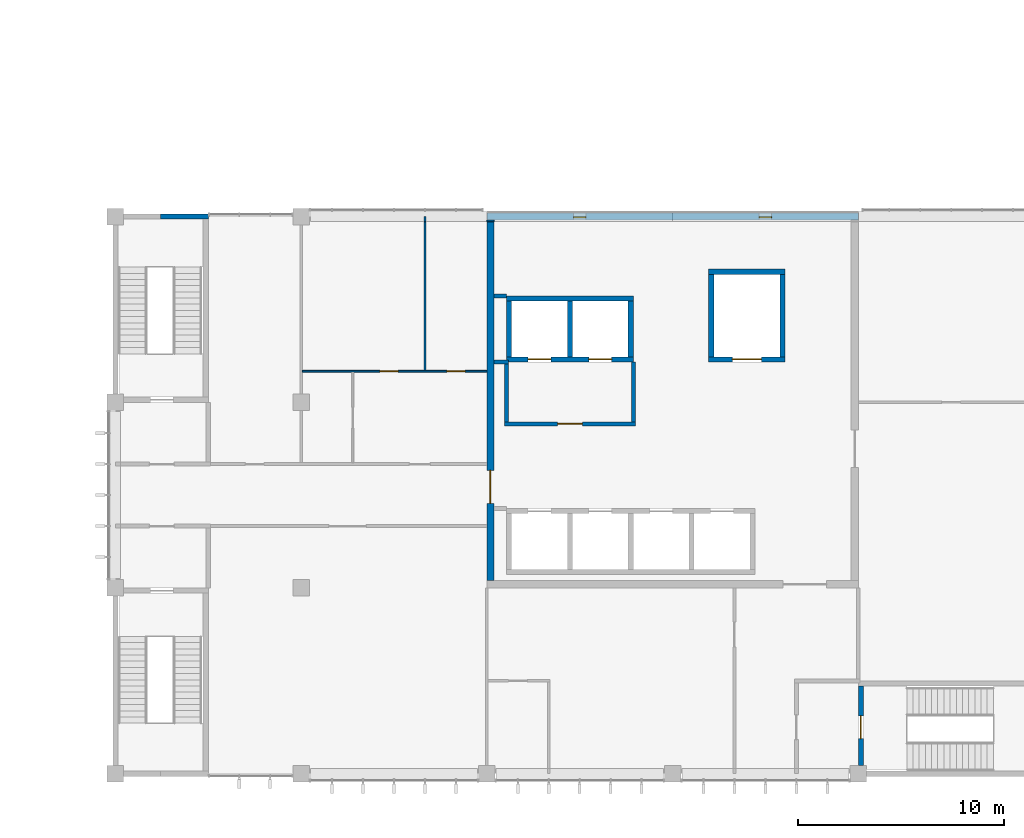
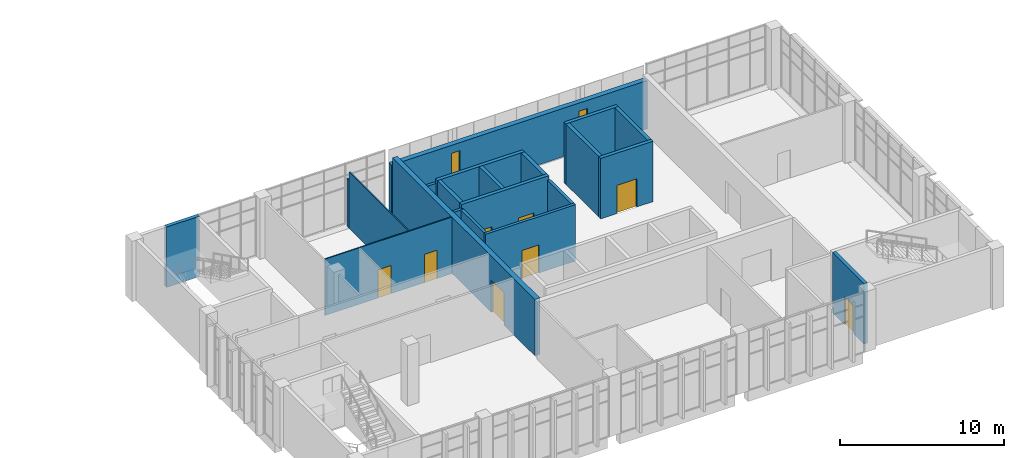
# One storey, part 29 of 40: 22 walls, 8 doors, 2 windows, 10 openings.
"""IFC4 building model written with IfcOpenShell, lengths in metres."""

from ifc_helpers import new_model, si_unit, direction, frame, frame_2d, origin, place, context, subcontext, project, spatial, rectangle, extrude, material, layer, layer_set, type_object, element, fill, save


model = new_model("IFC4")

# Units and contexts
model_context = context("Model", 3, precision=1e-05, world=origin(), true_north=direction((0.0, 1.0)))
body_context = subcontext(model_context, "Body", "Model", "MODEL_VIEW")
ifc_project = project(units=[si_unit("LENGTHUNIT", "METRE"), si_unit("AREAUNIT", "SQUARE_METRE"), si_unit("VOLUMEUNIT", "CUBIC_METRE"), si_unit("PLANEANGLEUNIT", "RADIAN"), si_unit("MASSUNIT", "GRAM", prefix="KILO")], contexts=[model_context])

# Site, building, storey
site_placement = place(None, origin())
site = spatial("IfcSite", under=ifc_project, at=site_placement, CompositionType="ELEMENT")
building_placement = place(site_placement, origin())
building = spatial("IfcBuilding", under=site, at=building_placement, Name="Guidao Yard Department Store", CompositionType="ELEMENT")
storey_placement = place(building_placement, frame((0.0, 0.0, 24.0)))
storey = spatial("IfcBuildingStorey", under=building, at=storey_placement, Name="L05", CompositionType="ELEMENT", Elevation=24.0)

# Wall, openings, windows
ifc_material_1 = material(Name="Concrete C40", Category="concrete")
ifc_layer_1 = layer(ifc_material_1, 0.35009765625)
ifc_layer_set_1 = layer_set([ifc_layer_1], Name="Office core face wall 350 C40")
wall_type_1 = type_object("IfcWallType", Name="Office core face wall 350 C40", PredefinedType="SOLIDWALL", material=ifc_layer_set_1)
wall_1_placement = place(storey_placement, frame((144.0, 27.0, 0.0), z_axis=(0.0, 0.0, 1.0), x_axis=(1.0, 0.0, 0.0)))
wall_1 = element("IfcWall", 1, at=wall_1_placement, inside=storey, type_object=wall_type_1, Name="Office north face wall", PredefinedType="SOLIDWALL", context=body_context, shape_type="SweptSolid", body=[
    extrude(rectangle(XDim=18.0, YDim=0.35009765625, at=frame_2d((9.0, 0.0))), origin(), (0.0, 0.0, 1.0), 3.60009765625),
])
opening_1_placement = place(wall_1_placement, frame((4.199951171875, 0.0, 0.60009765625)))
opening_1 = element("IfcOpeningElement", 2, at=opening_1_placement, cuts=wall_1, Name="Opening WN-L05-E27", PredefinedType="OPENING", context=body_context, shape_type="SweptSolid", body=[
    extrude(rectangle(XDim=0.60009765625, YDim=2.39990234375, at=frame_2d((0.300048828125, 1.199951171875))), frame((0.0, 0.18505859375, 0.0), z_axis=(0.0, -1.0, 0.0), x_axis=(1.0, 0.0, 0.0)), (0.0, 0.0, 1.0), 0.3701171875),
])
opening_2_placement = place(wall_1_placement, frame((13.199951171875, 0.0, 0.60009765625)))
opening_2 = element("IfcOpeningElement", 3, at=opening_2_placement, cuts=wall_1, Name="Opening WN-L05-E28", PredefinedType="OPENING", context=body_context, shape_type="SweptSolid", body=[
    extrude(rectangle(XDim=0.60009765625, YDim=2.39990234375, at=frame_2d((0.300048828125, 1.199951171875))), frame((0.0, 0.18505859375, 0.0), z_axis=(0.0, -1.0, 0.0), x_axis=(1.0, 0.0, 0.0)), (0.0, 0.0, 1.0), 0.3701171875),
])
ifc_material_2 = material(Name="Laminated glass in aluminium frame", Category="aluminium")
window_type = type_object("IfcWindowType", Name="Lobby window LW1 600 x 2400 fixed", PartitioningType="SINGLE_PANEL", PredefinedType="WINDOW", material=ifc_material_2)
window_1_placement = place(opening_1_placement, origin())
window_1 = element("IfcWindow", 4, at=window_1_placement, inside=storey, type_object=window_type, Name="Lift lobby window", OverallHeight=2.39990234375, OverallWidth=0.60009765625, PartitioningType="SINGLE_PANEL", PredefinedType="WINDOW", context=body_context, shape_type="SweptSolid", body=[
    extrude(rectangle(XDim=0.60009765625, YDim=2.39990234375, at=frame_2d((0.300048828125, 1.199951171875))), frame((0.0, -0.0048828125, 0.0), z_axis=(0.0, -1.0, 0.0), x_axis=(1.0, 0.0, 0.0)), (0.0, 0.0, 1.0), 0.06005859375),
])
fill(opening_1, window_1)
window_2_placement = place(opening_2_placement, origin())
window_2 = element("IfcWindow", 5, at=window_2_placement, inside=storey, type_object=window_type, Name="Lift lobby window", OverallHeight=2.39990234375, OverallWidth=0.60009765625, PartitioningType="SINGLE_PANEL", PredefinedType="WINDOW", context=body_context, shape_type="SweptSolid", body=[
    extrude(rectangle(XDim=0.60009765625, YDim=2.39990234375, at=frame_2d((0.300048828125, 1.199951171875))), frame((0.0, -0.0048828125, 0.0), z_axis=(0.0, -1.0, 0.0), x_axis=(1.0, 0.0, 0.0)), (0.0, 0.0, 1.0), 0.06005859375),
])
fill(opening_2, window_2)

# Wall, openings, doors
ifc_material_3 = material(Name="Gypsum Board")
ifc_layer_2 = layer(ifc_material_3, 0.080078125)
ifc_layer_set_2 = layer_set([ifc_layer_2], Name="Sanitary Partition 80 Gypsum Board EI 45")
wall_type_2 = type_object("IfcWallType", Name="Sanitary Partition 80 Gypsum Board EI 45", PredefinedType="PARTITIONING", material=ifc_layer_set_2)
wall_2_placement = place(storey_placement, frame((135.06005859375, 19.5, 0.0), z_axis=(0.0, 0.0, 1.0), x_axis=(1.0, 0.0, 0.0)))
wall_2 = element("IfcWall", 6, at=wall_2_placement, inside=storey, type_object=wall_type_2, Name="pt.wall.L05.0011", PredefinedType="PARTITIONING", context=body_context, shape_type="SweptSolid", body=[
    extrude(rectangle(XDim=8.93994140625, YDim=0.080078125, at=frame_2d((4.469970703125, 0.0))), origin(), (0.0, 0.0, 1.0), 4.199951171875),
])
opening_3_placement = place(wall_2_placement, frame((3.739990234375, 0.0, 0.0)))
opening_3 = element("IfcOpeningElement", 7, at=opening_3_placement, cuts=wall_2, Name="Opening L05-409", PredefinedType="OPENING", context=body_context, shape_type="SweptSolid", body=[
    extrude(rectangle(XDim=0.89990234375, YDim=2.10009765625, at=frame_2d((0.449951171875, 1.050048828125))), frame((0.0, 0.050048828125, 0.0), z_axis=(0.0, -1.0, 0.0), x_axis=(1.0, 0.0, 0.0)), (0.0, 0.0, 1.0), 0.10009765625),
])
opening_4_placement = place(wall_2_placement, frame((6.989990234375, 0.0, 0.0)))
opening_4 = element("IfcOpeningElement", 8, at=opening_4_placement, cuts=wall_2, Name="Opening L05-410", PredefinedType="OPENING", context=body_context, shape_type="SweptSolid", body=[
    extrude(rectangle(XDim=0.89990234375, YDim=2.10009765625, at=frame_2d((0.449951171875, 1.050048828125))), frame((0.0, 0.050048828125, 0.0), z_axis=(0.0, -1.0, 0.0), x_axis=(1.0, 0.0, 0.0)), (0.0, 0.0, 1.0), 0.10009765625),
])
ifc_material_4 = material(Name="Timber door leaf with Steel Q235 frame", Category="steel")
door_type_1 = type_object("IfcDoorType", Name="Door 900 x 2100 NOT RATED Single Leaf", OperationType="SINGLE_SWING_LEFT", PredefinedType="DOOR", material=ifc_material_4)
door_1_placement = place(opening_3_placement, origin())
door_1 = element("IfcDoor", 9, at=door_1_placement, inside=storey, type_object=door_type_1, Name="Door L05-409", OperationType="SINGLE_SWING_LEFT", OverallHeight=2.10009765625, OverallWidth=0.89990234375, PredefinedType="DOOR", context=body_context, shape_type="SweptSolid", body=[
    extrude(rectangle(XDim=0.89990234375, YDim=2.10009765625, at=frame_2d((0.449951171875, 1.050048828125))), frame((0.0, 0.02490234375, 0.0), z_axis=(0.0, -1.0, 0.0), x_axis=(1.0, 0.0, 0.0)), (0.0, 0.0, 1.0), 0.050048828125),
])
fill(opening_3, door_1)
door_2_placement = place(opening_4_placement, origin())
door_2 = element("IfcDoor", 10, at=door_2_placement, inside=storey, type_object=door_type_1, Name="Door L05-410", OperationType="SINGLE_SWING_RIGHT", OverallHeight=2.10009765625, OverallWidth=0.89990234375, PredefinedType="DOOR", context=body_context, shape_type="SweptSolid", body=[
    extrude(rectangle(XDim=0.89990234375, YDim=2.10009765625, at=frame_2d((0.449951171875, 1.050048828125))), frame((0.0, 0.02490234375, 0.0), z_axis=(0.0, -1.0, 0.0), x_axis=(1.0, 0.0, 0.0)), (0.0, 0.0, 1.0), 0.050048828125),
])
fill(opening_4, door_2)

# Walls
wall_3_placement = place(storey_placement, frame((141.0, 19.5400390625, 0.0), z_axis=(0.0, 0.0, 1.0), x_axis=(0.0, 1.0, 0.0)))
element("IfcWall", 11, at=wall_3_placement, inside=storey, type_object=wall_type_2, Name="pt.wall.L05.0019", PredefinedType="PARTITIONING", context=body_context, shape_type="SweptSolid", body=[
    extrude(rectangle(XDim=7.2099609375, YDim=0.080078125, at=frame_2d((3.60498046875, 0.0))), origin(), (0.0, 0.0, 1.0), 4.199951171875),
])
wall_4_placement = place(storey_placement, frame((141.0, 26.75, 0.0), z_axis=(0.0, 0.0, 1.0), x_axis=(0.0, 1.0, 0.0)))
element("IfcWall", 12, at=wall_4_placement, inside=storey, type_object=wall_type_2, Name="pt.wall.L05.0019a", PredefinedType="PARTITIONING", context=body_context, shape_type="SweptSolid", body=[
    extrude(rectangle(XDim=0.25, YDim=0.080078125, at=frame_2d((0.125, 0.0))), origin(), (0.0, 0.0, 1.0), 3.60009765625),
])

# Wall, opening, door
ifc_material_5 = material(Name="Autoclaved aerated concrete block A3.5 B06", Category="concrete")
ifc_layer_3 = layer(ifc_material_5, 0.199951171875)
ifc_layer_set_3 = layer_set([ifc_layer_3], Name="Shaft Wall 200 Autoclaved Block EI 120")
wall_type_3 = type_object("IfcWallType", Name="Shaft Wall 200 Autoclaved Block EI 120", PredefinedType="PARTITIONING", material=ifc_layer_set_3)
wall_5_placement = place(storey_placement, frame((144.85009765625, 16.949951171875, 0.0), z_axis=(0.0, 0.0, 1.0), x_axis=(1.0, 0.0, 0.0)))
wall_5 = element("IfcWall", 13, at=wall_5_placement, inside=storey, type_object=wall_type_3, Name="pt.wall.L05.0009", PredefinedType="PARTITIONING", context=body_context, shape_type="SweptSolid", body=[
    extrude(rectangle(XDim=6.349853515625, YDim=0.199951171875, at=frame_2d((3.1748046875, 0.0))), origin(), (0.0, 0.0, 1.0), 4.199951171875),
])
opening_5_placement = place(wall_5_placement, frame((2.574951171875, 0.0, 0.0)))
opening_5 = element("IfcOpeningElement", 14, at=opening_5_placement, cuts=wall_5, Name="Opening L05-400", PredefinedType="OPENING", context=body_context, shape_type="SweptSolid", body=[
    extrude(rectangle(XDim=1.199951171875, YDim=2.10009765625, at=frame_2d((0.60009765625, 1.050048828125))), frame((0.0, 0.10986328125, 0.0), z_axis=(0.0, -1.0, 0.0), x_axis=(1.0, 0.0, 0.0)), (0.0, 0.0, 1.0), 0.219970703125),
])
ifc_material_6 = material(Name="Timber door leaf with Steel Q235 frame", Category="steel")
door_type_2 = type_object("IfcDoorType", Name="Door 1200 x 2100 FD60 Single Leaf", OperationType="SINGLE_SWING_LEFT", PredefinedType="DOOR", material=ifc_material_6)
door_3_placement = place(opening_5_placement, origin())
door_3 = element("IfcDoor", 15, at=door_3_placement, inside=storey, type_object=door_type_2, Name="Door L05-400", OperationType="SINGLE_SWING_RIGHT", OverallHeight=2.10009765625, OverallWidth=1.199951171875, PredefinedType="DOOR", context=body_context, shape_type="SweptSolid", body=[
    extrude(rectangle(XDim=1.199951171875, YDim=2.10009765625, at=frame_2d((0.60009765625, 1.050048828125))), frame((0.0, 0.02490234375, 0.0), z_axis=(0.0, -1.0, 0.0), x_axis=(1.0, 0.0, 0.0)), (0.0, 0.0, 1.0), 0.050048828125),
])
fill(opening_5, door_3)

# Walls
wall_6_placement = place(storey_placement, frame((144.35009765625, 19.949951171875, 0.0), z_axis=(0.0, 0.0, 1.0), x_axis=(1.0, 0.0, 0.0)))
element("IfcWall", 16, at=wall_6_placement, inside=storey, type_object=wall_type_3, Name="pt.wall.L05.0012", PredefinedType="PARTITIONING", context=body_context, shape_type="SweptSolid", body=[
    extrude(rectangle(XDim=0.699951171875, YDim=0.199951171875, at=frame_2d((0.35009765625, 0.0))), origin(), (0.0, 0.0, 1.0), 4.199951171875),
])
wall_7_placement = place(storey_placement, frame((144.35009765625, 23.14990234375, 0.0), z_axis=(0.0, 0.0, 1.0), x_axis=(1.0, 0.0, 0.0)))
element("IfcWall", 17, at=wall_7_placement, inside=storey, type_object=wall_type_3, Name="pt.wall.L05.0013", PredefinedType="PARTITIONING", context=body_context, shape_type="SweptSolid", body=[
    extrude(rectangle(XDim=0.599853515625, YDim=0.199951171875, at=frame_2d((0.2998046875, 0.0))), origin(), (0.0, 0.0, 1.0), 4.199951171875),
])
wall_8_placement = place(storey_placement, frame((144.949951171875, 17.050048828125, 0.0), z_axis=(0.0, 0.0, 1.0), x_axis=(0.0, 1.0, 0.0)))
element("IfcWall", 18, at=wall_8_placement, inside=storey, type_object=wall_type_3, Name="pt.wall.L05.0022", PredefinedType="PARTITIONING", context=body_context, shape_type="SweptSolid", body=[
    extrude(rectangle(XDim=2.800048828125, YDim=0.199951171875, at=frame_2d((1.39990234375, 0.0))), origin(), (0.0, 0.0, 1.0), 4.199951171875),
])
wall_9_placement = place(storey_placement, frame((151.10009765625, 17.050048828125, 0.0), z_axis=(0.0, 0.0, 1.0), x_axis=(0.0, 1.0, 0.0)))
element("IfcWall", 19, at=wall_9_placement, inside=storey, type_object=wall_type_3, Name="pt.wall.L05.0024", PredefinedType="PARTITIONING", context=body_context, shape_type="SweptSolid", body=[
    extrude(rectangle(XDim=2.89990234375, YDim=0.199951171875, at=frame_2d((1.449951171875, 0.0))), origin(), (0.0, 0.0, 1.0), 4.199951171875),
])

# Wall, opening, door
ifc_material_7 = material(Name="Concrete C50", Category="concrete")
ifc_layer_4 = layer(ifc_material_7, 0.35009765625)
ifc_layer_set_4 = layer_set([ifc_layer_4], Name="Shear Wall 350 Concrete C50")
wall_type_4 = type_object("IfcWallType", Name="Shear Wall 350 Concrete C50", PredefinedType="SHEAR", material=ifc_layer_set_4)
wall_10_placement = place(storey_placement, frame((144.175048828125, 9.35009765625, 0.0), z_axis=(0.0, 0.0, 1.0), x_axis=(0.0, 1.0, 0.0)))
wall_10 = element("IfcWall", 20, at=wall_10_placement, inside=storey, type_object=wall_type_4, Name="pt.wall.L05.0021", PredefinedType="SHEAR", context=body_context, shape_type="SweptSolid", body=[
    extrude(rectangle(XDim=17.39990234375, YDim=0.35009765625, at=frame_2d((8.699951171875, 0.0))), origin(), (0.0, 0.0, 1.0), 4.199951171875),
])
opening_6_placement = place(wall_10_placement, frame((3.75, 0.0, 0.0)))
opening_6 = element("IfcOpeningElement", 21, at=opening_6_placement, cuts=wall_10, Name="Opening L05-404", PredefinedType="OPENING", context=body_context, shape_type="SweptSolid", body=[
    extrude(rectangle(XDim=1.60009765625, YDim=2.39990234375, at=frame_2d((0.800048828125, 1.199951171875))), frame((0.0, 0.18505859375, 0.0), z_axis=(0.0, -1.0, 0.0), x_axis=(1.0, 0.0, 0.0)), (0.0, 0.0, 1.0), 0.3701171875),
])
ifc_material_8 = material(Name="Timber door leaf with Steel Q235 frame", Category="steel")
door_type_3 = type_object("IfcDoorType", Name="Door 1600 x 2400 FD60 Double Leaf", OperationType="DOUBLE_DOOR_SINGLE_SWING", PredefinedType="DOOR", material=ifc_material_8)
door_4_placement = place(opening_6_placement, origin())
door_4 = element("IfcDoor", 22, at=door_4_placement, inside=storey, type_object=door_type_3, Name="Door L05-404", OperationType="DOUBLE_DOOR_SINGLE_SWING", OverallHeight=2.39990234375, OverallWidth=1.60009765625, PredefinedType="DOOR", context=body_context, shape_type="SweptSolid", body=[
    extrude(rectangle(XDim=1.60009765625, YDim=2.39990234375, at=frame_2d((0.800048828125, 1.199951171875))), frame((0.0, 0.02490234375, 0.0), z_axis=(0.0, -1.0, 0.0), x_axis=(1.0, 0.0, 0.0)), (0.0, 0.0, 1.0), 0.050048828125),
])
fill(opening_6, door_4)

# Wall
wall_11_placement = place(storey_placement, frame((144.175048828125, 26.75, 0.0), z_axis=(0.0, 0.0, 1.0), x_axis=(0.0, 1.0, 0.0)))
element("IfcWall", 23, at=wall_11_placement, inside=storey, type_object=wall_type_4, Name="pt.wall.L05.0021a", PredefinedType="SHEAR", context=body_context, shape_type="SweptSolid", body=[
    extrude(rectangle(XDim=0.074951171875, YDim=0.35009765625, at=frame_2d((0.03759765625, 0.0))), origin(), (0.0, 0.0, 1.0), 3.60009765625),
])

# Wall, opening, door
ifc_material_9 = material(Name="Concrete C40", Category="concrete")
ifc_layer_5 = layer(ifc_material_9, 0.25)
ifc_layer_set_5 = layer_set([ifc_layer_5], Name="Wall RC 250 C40 stair and shaft")
wall_type_5 = type_object("IfcWallType", Name="Wall RC 250 C40 stair and shaft", PredefinedType="SHEAR", material=ifc_layer_set_5)
wall_12_placement = place(storey_placement, frame((162.125, 0.39990234375, 0.0), z_axis=(0.0, 0.0, 1.0), x_axis=(0.0, 1.0, 0.0)))
wall_12 = element("IfcWall", 24, at=wall_12_placement, inside=storey, type_object=wall_type_5, Name="Stair wall SO2", PredefinedType="SHEAR", context=body_context, shape_type="SweptSolid", body=[
    extrude(rectangle(XDim=3.85009765625, YDim=0.25, at=frame_2d((1.925048828125, 0.0))), origin(), (0.0, 0.0, 1.0), 4.5),
])
opening_7_placement = place(wall_12_placement, frame((2.400146484375, 0.0, 0.0), z_axis=(0.0, 0.0, 1.0), x_axis=(-1.0, 0.0, 0.0)))
opening_7 = element("IfcOpeningElement", 25, at=opening_7_placement, cuts=wall_12, Name="Opening L05-809", PredefinedType="OPENING", context=body_context, shape_type="SweptSolid", body=[
    extrude(rectangle(XDim=1.10009765625, YDim=2.10009765625, at=frame_2d((0.550048828125, 1.050048828125))), frame((0.0, 0.135009765625, 0.0), z_axis=(0.0, -1.0, 0.0), x_axis=(1.0, 0.0, 0.0)), (0.0, 0.0, 1.0), 0.27001953125),
])
ifc_material_10 = material(Name="Steel Q235", Category="steel")
door_type_4 = type_object("IfcDoorType", Name="Door fire-resisting 1100 x 2100 FD60", OperationType="SINGLE_SWING_LEFT", PredefinedType="DOOR", material=ifc_material_10)
door_5_placement = place(opening_7_placement, origin())
door_5 = element("IfcDoor", 26, at=door_5_placement, inside=storey, type_object=door_type_4, Name="Stair O2 door L05", OperationType="SINGLE_SWING_RIGHT", OverallHeight=2.10009765625, OverallWidth=1.10009765625, PredefinedType="DOOR", context=body_context, shape_type="SweptSolid", body=[
    extrude(rectangle(XDim=1.10009765625, YDim=2.10009765625, at=frame_2d((0.550048828125, 1.050048828125))), frame((0.0, 0.02490234375, 0.0), z_axis=(0.0, -1.0, 0.0), x_axis=(1.0, 0.0, 0.0)), (0.0, 0.0, 1.0), 0.050048828125),
])
fill(opening_7, door_5)

# Wall
wall_13_placement = place(storey_placement, frame((128.18798828125, 27.0, 0.0), z_axis=(0.0, 0.0, 1.0), x_axis=(1.0, 0.0, 0.0)))
element("IfcWall", 27, at=wall_13_placement, inside=storey, type_object=wall_type_5, Name="Stair wall SO3", PredefinedType="SHEAR", context=body_context, shape_type="SweptSolid", body=[
    extrude(rectangle(XDim=2.31201171875, YDim=0.25, at=frame_2d((1.156005859375, 0.0))), origin(), (0.0, 0.0, 1.0), 4.5),
])

# Wall, openings, doors
wall_14_placement = place(storey_placement, frame((144.949951171875, 20.074951171875, 0.0), z_axis=(0.0, 0.0, 1.0), x_axis=(1.0, 0.0, 0.0)))
wall_14 = element("IfcWall", 28, at=wall_14_placement, inside=storey, type_object=wall_type_5, Name="Lift shaft wall OF1 to OF2", PredefinedType="SHEAR", context=body_context, shape_type="SweptSolid", body=[
    extrude(rectangle(XDim=6.150146484375, YDim=0.25, at=frame_2d((3.0751953125, 0.0))), origin(), (0.0, 0.0, 1.0), 4.5),
])
opening_8_placement = place(wall_14_placement, frame((1.050048828125, 0.0, 0.0)))
opening_8 = element("IfcOpeningElement", 29, at=opening_8_placement, cuts=wall_14, Name="Opening LD-OF1-L05", PredefinedType="OPENING", context=body_context, shape_type="SweptSolid", body=[
    extrude(rectangle(XDim=1.10009765625, YDim=2.10009765625, at=frame_2d((0.550048828125, 1.050048828125))), frame((0.0, 0.135009765625, 0.0), z_axis=(0.0, -1.0, 0.0), x_axis=(1.0, 0.0, 0.0)), (0.0, 0.0, 1.0), 0.27001953125),
])
opening_9_placement = place(wall_14_placement, frame((4.0, 0.0, 0.0)))
opening_9 = element("IfcOpeningElement", 30, at=opening_9_placement, cuts=wall_14, Name="Opening LD-OF2-L05", PredefinedType="OPENING", context=body_context, shape_type="SweptSolid", body=[
    extrude(rectangle(XDim=1.10009765625, YDim=2.10009765625, at=frame_2d((0.550048828125, 1.050048828125))), frame((0.0, 0.135009765625, 0.0), z_axis=(0.0, -1.0, 0.0), x_axis=(1.0, 0.0, 0.0)), (0.0, 0.0, 1.0), 0.27001953125),
])
ifc_material_11 = material(Name="Stainless steel 06Cr19Ni10", Category="steel")
door_type_5 = type_object("IfcDoorType", Name="Lift landing door fire-resisting sliding 1100 x 2100", OperationType="DOUBLE_DOOR_SLIDING", PredefinedType="DOOR", material=ifc_material_11)
door_6_placement = place(opening_8_placement, origin())
door_6 = element("IfcDoor", 31, at=door_6_placement, inside=storey, type_object=door_type_5, Name="Lift landing door OF1 L05", OperationType="DOUBLE_DOOR_SLIDING", OverallHeight=2.10009765625, OverallWidth=1.10009765625, PredefinedType="DOOR", context=body_context, shape_type="SweptSolid", body=[
    extrude(rectangle(XDim=1.10009765625, YDim=2.10009765625, at=frame_2d((0.550048828125, 1.050048828125))), frame((0.0, 0.02490234375, 0.0), z_axis=(0.0, -1.0, 0.0), x_axis=(1.0, 0.0, 0.0)), (0.0, 0.0, 1.0), 0.050048828125),
])
fill(opening_8, door_6)
door_7_placement = place(opening_9_placement, origin())
door_7 = element("IfcDoor", 32, at=door_7_placement, inside=storey, type_object=door_type_5, Name="Lift landing door OF2 L05", OperationType="DOUBLE_DOOR_SLIDING", OverallHeight=2.10009765625, OverallWidth=1.10009765625, PredefinedType="DOOR", context=body_context, shape_type="SweptSolid", body=[
    extrude(rectangle(XDim=1.10009765625, YDim=2.10009765625, at=frame_2d((0.550048828125, 1.050048828125))), frame((0.0, 0.02490234375, 0.0), z_axis=(0.0, -1.0, 0.0), x_axis=(1.0, 0.0, 0.0)), (0.0, 0.0, 1.0), 0.050048828125),
])
fill(opening_9, door_7)

# Walls
wall_15_placement = place(storey_placement, frame((144.949951171875, 23.02490234375, 0.0), z_axis=(0.0, 0.0, 1.0), x_axis=(1.0, 0.0, 0.0)))
element("IfcWall", 33, at=wall_15_placement, inside=storey, type_object=wall_type_5, Name="Lift shaft wall OF1 to OF2", PredefinedType="SHEAR", context=body_context, shape_type="SweptSolid", body=[
    extrude(rectangle(XDim=6.150146484375, YDim=0.25, at=frame_2d((3.0751953125, 0.0))), origin(), (0.0, 0.0, 1.0), 4.5),
])
for number, where, z_axis, x_axis, name in (
    (34, (145.074951171875, 20.199951171875, 0.0), (0.0, 0.0, 1.0), (0.0, 1.0, 0.0), "Lift shaft wall OF1 to OF2"),
    (35, (148.02490234375, 20.199951171875, 0.0), (0.0, 0.0, 1.0), (0.0, 1.0, 0.0), "Lift shaft wall OF1 to OF2"),
    (36, (150.97509765625, 20.199951171875, 0.0), (0.0, 0.0, 1.0), (0.0, 1.0, 0.0), "Lift shaft wall OF1 to OF2"),
):
    element("IfcWall", number, at=place(storey_placement, frame(where, z_axis=z_axis, x_axis=x_axis)), inside=storey, type_object=wall_type_5, Name=name, PredefinedType="SHEAR", context=body_context, shape_type="SweptSolid", body=[
        extrude(rectangle(XDim=2.699951171875, YDim=0.25, at=frame_2d((1.35009765625, 0.0))), origin(), (0.0, 0.0, 1.0), 4.5),
    ])

# Wall, opening, door
wall_16_placement = place(storey_placement, frame((154.75, 20.074951171875, 0.0), z_axis=(0.0, 0.0, 1.0), x_axis=(1.0, 0.0, 0.0)))
wall_16 = element("IfcWall", 37, at=wall_16_placement, inside=storey, type_object=wall_type_5, Name="Lift shaft wall OS1", PredefinedType="SHEAR", context=body_context, shape_type="SweptSolid", body=[
    extrude(rectangle(XDim=3.699951171875, YDim=0.25, at=frame_2d((1.85009765625, 0.0))), origin(), (0.0, 0.0, 1.0), 4.5),
])
opening_10_placement = place(wall_16_placement, frame((1.14990234375, 0.0, 0.0)))
opening_10 = element("IfcOpeningElement", 38, at=opening_10_placement, cuts=wall_16, Name="Opening LD-OS1-L05", PredefinedType="OPENING", context=body_context, shape_type="SweptSolid", body=[
    extrude(rectangle(XDim=1.39990234375, YDim=2.10009765625, at=frame_2d((0.699951171875, 1.050048828125))), frame((0.0, 0.135009765625, 0.0), z_axis=(0.0, -1.0, 0.0), x_axis=(1.0, 0.0, 0.0)), (0.0, 0.0, 1.0), 0.27001953125),
])
ifc_material_12 = material(Name="Stainless steel 06Cr19Ni10", Category="steel")
door_type_6 = type_object("IfcDoorType", Name="Lift landing door fire-resisting sliding 1400 x 2100", OperationType="DOUBLE_DOOR_SLIDING", PredefinedType="DOOR", material=ifc_material_12)
door_8_placement = place(opening_10_placement, origin())
door_8 = element("IfcDoor", 39, at=door_8_placement, inside=storey, type_object=door_type_6, Name="Lift landing door OS1 L05", OperationType="DOUBLE_DOOR_SLIDING", OverallHeight=2.10009765625, OverallWidth=1.39990234375, PredefinedType="DOOR", context=body_context, shape_type="SweptSolid", body=[
    extrude(rectangle(XDim=1.39990234375, YDim=2.10009765625, at=frame_2d((0.699951171875, 1.050048828125))), frame((0.0, 0.02490234375, 0.0), z_axis=(0.0, -1.0, 0.0), x_axis=(1.0, 0.0, 0.0)), (0.0, 0.0, 1.0), 0.050048828125),
])
fill(opening_10, door_8)

# Walls
wall_17_placement = place(storey_placement, frame((154.75, 24.324951171875, 0.0), z_axis=(0.0, 0.0, 1.0), x_axis=(1.0, 0.0, 0.0)))
element("IfcWall", 40, at=wall_17_placement, inside=storey, type_object=wall_type_5, Name="Lift shaft wall OS1", PredefinedType="SHEAR", context=body_context, shape_type="SweptSolid", body=[
    extrude(rectangle(XDim=3.699951171875, YDim=0.25, at=frame_2d((1.85009765625, 0.0))), origin(), (0.0, 0.0, 1.0), 4.5),
])
for number, where, z_axis, x_axis, name in (
    (41, (154.875, 20.199951171875, 0.0), (0.0, 0.0, 1.0), (0.0, 1.0, 0.0), "Lift shaft wall OS1"),
    (42, (158.324951171875, 20.199951171875, 0.0), (0.0, 0.0, 1.0), (0.0, 1.0, 0.0), "Lift shaft wall OS1"),
):
    element("IfcWall", number, at=place(storey_placement, frame(where, z_axis=z_axis, x_axis=x_axis)), inside=storey, type_object=wall_type_5, Name=name, PredefinedType="SHEAR", context=body_context, shape_type="SweptSolid", body=[
        extrude(rectangle(XDim=4.0, YDim=0.25, at=frame_2d((2.0, 0.0))), origin(), (0.0, 0.0, 1.0), 4.5),
    ])

save(model, "model.ifc")
